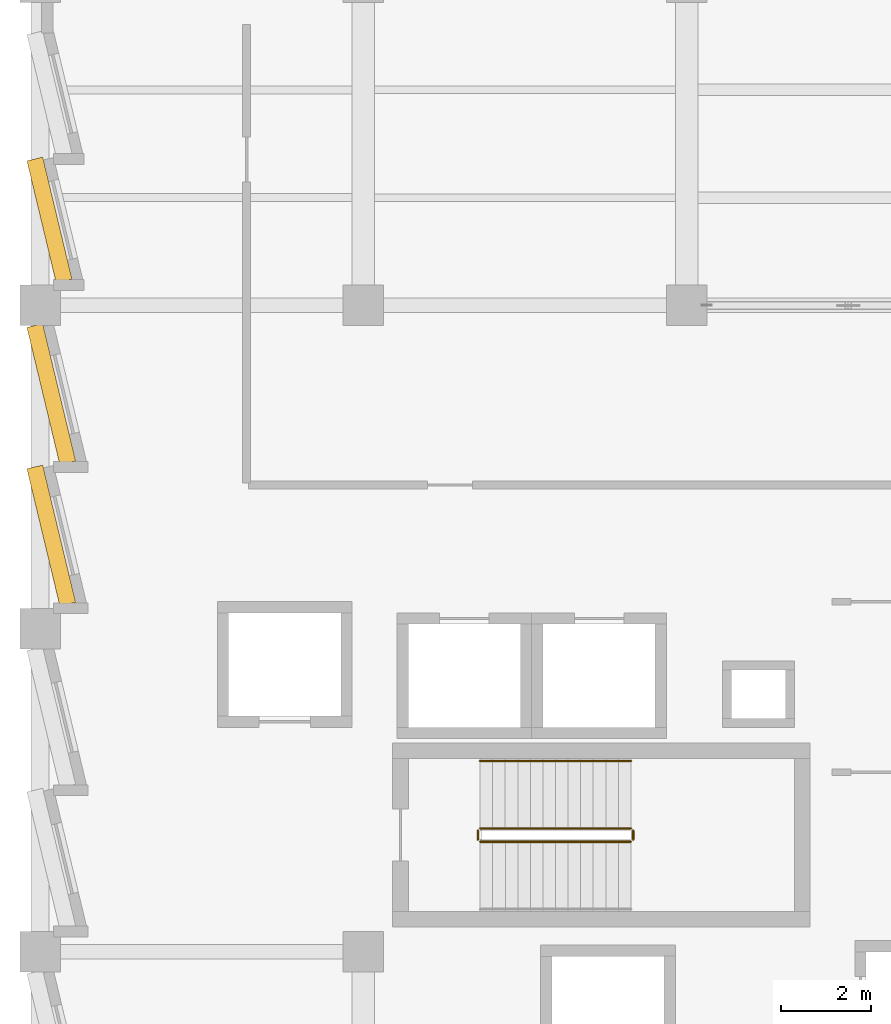
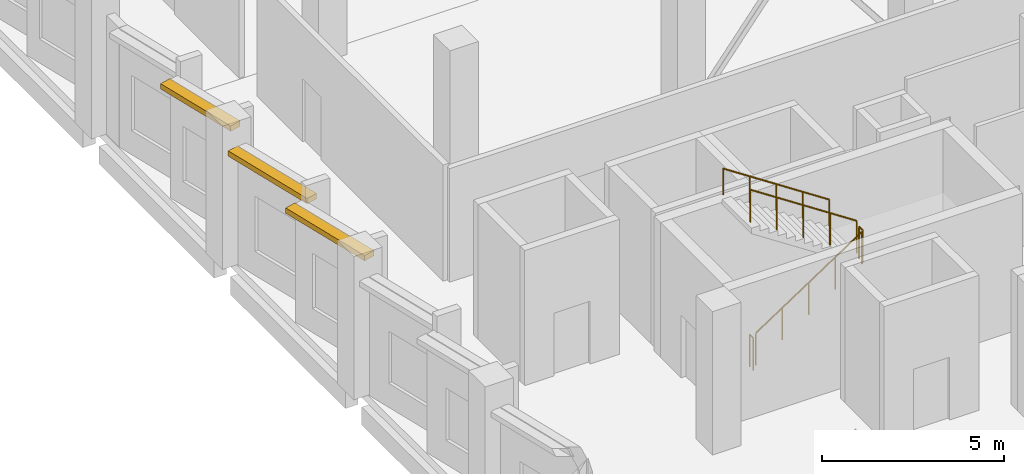
# One storey, part 109 of 127: 5 railings, 3 shading devices.
"""IFC4 building model written with IfcOpenShell, lengths in metres."""

import ifcopenshell
import ifcopenshell.guid

model = None  # the IFC model being written
_history = None  # IfcOwnerHistory: only IFC2X3 demands one
_inside = {}  # id of a spatial element -> (the spatial element, [elements in it])
_under = {}  # id of a project, library or spatial element -> (it, [spatial elements below it])
_declared = {}  # id of a project -> (the project, [libraries it declares])
_typed = {}  # id of a type object -> (the type object, [elements of that type])
_made_of = {}  # id of a material, layer set ... -> (it, [elements and type objects made of it])


def new_model(schema):
    """Start an empty IFC model of exactly this schema.

    Asked for "IFC4X3", IfcOpenShell would pick the latest addendum, in which some entities
    have other attributes; the version numbers below select the first issue.
    IFC2X3 requires an IfcOwnerHistory on every rooted entity: one is made here for all.
    """
    global model, _history
    if schema == "IFC4X3":
        model = ifcopenshell.file(schema_version=(4, 3, 0, 0))
    else:
        model = ifcopenshell.file(schema=schema)
    _inside.clear()
    _under.clear()
    _declared.clear()
    _typed.clear()
    _made_of.clear()
    _history = None
    if model.schema == "IFC2X3":
        org = make("IfcOrganization", Name="unknown")
        user = make(
            "IfcPersonAndOrganization",
            ThePerson=make("IfcPerson", FamilyName="unknown"),
            TheOrganization=org,
        )
        app = make(
            "IfcApplication",
            ApplicationDeveloper=org,
            Version="unknown",
            ApplicationFullName="unknown",
            ApplicationIdentifier="unknown",
        )
        _history = make(
            "IfcOwnerHistory",
            OwningUser=user,
            OwningApplication=app,
            ChangeAction="ADDED",
            CreationDate=0,
        )
    return model


def make(cls, **values):
    """One entity of the class cls with the attributes given. An attribute that is None is left unset."""
    return model.create_entity(
        cls, **{name: value for name, value in values.items() if value is not None}
    )


def rooted(cls, **values):
    """An entity with a GlobalId (a new one), such as an element, a storey or a relation."""
    return make(cls, GlobalId=ifcopenshell.guid.new(), OwnerHistory=_history, **values)


def si_unit(unit_type, name, prefix=None):
    """IfcSIUnit, for example si_unit("LENGTHUNIT", "METRE", prefix="MILLI")."""
    return make("IfcSIUnit", UnitType=unit_type, Prefix=prefix, Name=name)


def assignment(units):
    """IfcUnitAssignment: the units of a project."""
    return None if units is None else make("IfcUnitAssignment", Units=units)


def point(xyz):
    """IfcCartesianPoint."""
    return None if xyz is None else make("IfcCartesianPoint", Coordinates=xyz)


def direction(xyz):
    """IfcDirection."""
    return None if xyz is None else make("IfcDirection", DirectionRatios=xyz)


def frame(location, z_axis=None, x_axis=None):
    """IfcAxis2Placement3D, a coordinate frame: its origin and axes. An axis left out is left unset."""
    return make(
        "IfcAxis2Placement3D",
        Location=point(location),
        Axis=direction(z_axis),
        RefDirection=direction(x_axis),
    )


def frame_2d(location, x_axis=None):
    """IfcAxis2Placement2D, a coordinate frame in the plane: its origin and x axis."""
    return make(
        "IfcAxis2Placement2D", Location=point(location), RefDirection=direction(x_axis)
    )


def origin():
    """The frame at (0, 0, 0) with its axes left unset."""
    return frame((0.0, 0.0, 0.0))


def origin_2d():
    """The frame at (0, 0) in the plane with its x axis left unset."""
    return frame_2d((0.0, 0.0))


def place(relative_to, where):
    """IfcLocalPlacement: puts the frame where relative to a parent placement (None: the world)."""
    return make(
        "IfcLocalPlacement", PlacementRelTo=relative_to, RelativePlacement=where
    )


def context(
    kind, dimensions, precision=None, world=None, true_north=None, identifier=None
):
    """IfcGeometricRepresentationContext, for example the 3D "Model" context."""
    return make(
        "IfcGeometricRepresentationContext",
        ContextIdentifier=identifier,
        ContextType=kind,
        CoordinateSpaceDimension=dimensions,
        Precision=precision,
        WorldCoordinateSystem=world,
        TrueNorth=true_north,
    )


def subcontext(parent, identifier, kind, view, scale=None):
    """IfcGeometricRepresentationSubContext, for example "Body" below "Model"."""
    return make(
        "IfcGeometricRepresentationSubContext",
        ContextIdentifier=identifier,
        ContextType=kind,
        ParentContext=parent,
        TargetScale=scale,
        TargetView=view,
    )


def project(units=None, contexts=None):
    """IfcProject with its units and contexts."""
    return rooted(
        "IfcProject",
        Name="project",
        RepresentationContexts=contexts,
        UnitsInContext=assignment(units),
    )


def spatial(cls, under=None, at=None, **own):
    """A site, building, storey or space (cls), placed at a placement, below another one or the project."""
    s = rooted(cls, ObjectPlacement=at, **own)
    if under is not None:
        _under.setdefault(under.id(), (under, []))[1].append(s)
    return s


def profile(cls, at=None, kind="AREA", **sizes):
    """A parametric profile (cls). Its sizes go by their IFC names, for example OverallWidth=200.0."""
    return make(cls, ProfileType=kind, Position=at, **sizes)


def rectangle(**sizes):
    """IfcRectangleProfileDef."""
    return profile("IfcRectangleProfileDef", **sizes)


def circle(**sizes):
    """IfcCircleProfileDef."""
    return profile("IfcCircleProfileDef", **sizes)


def extrude(swept, where, along, depth):
    """IfcExtrudedAreaSolid: the profile swept, set in the frame where, extruded along a direction by depth."""
    return make(
        "IfcExtrudedAreaSolid",
        SweptArea=swept,
        Position=where,
        ExtrudedDirection=direction(along),
        Depth=depth,
    )


def shape(context_of_items, identifier, shape_type, items):
    """IfcShapeRepresentation: the items that make up one representation, for example the "Body"."""
    return make(
        "IfcShapeRepresentation",
        ContextOfItems=context_of_items,
        RepresentationIdentifier=identifier,
        RepresentationType=shape_type,
        Items=items,
    )


def material(Name=None, Category=None):
    """IfcMaterial."""
    return make("IfcMaterial", Name=Name, Category=Category)


def layer(
    of_material, thickness, ventilated=None, Name=None, Category=None, Priority=None
):
    """IfcMaterialLayer: one layer of a wall or slab, of a material (None: an air gap)."""
    return make(
        "IfcMaterialLayer",
        Material=of_material,
        LayerThickness=thickness,
        IsVentilated=ventilated,
        Name=Name,
        Category=Category,
        Priority=Priority,
    )


def layer_set(layers, Name=None):
    """IfcMaterialLayerSet."""
    return make("IfcMaterialLayerSet", MaterialLayers=layers, LayerSetName=Name)


def made_of(thing, what):
    """Note that an element or type object is made of a material, layer set ...; save() writes the relation."""
    if what is not None:
        _made_of.setdefault(what.id(), (what, []))[1].append(thing)
    return thing


def type_object(cls, material=None, **own):
    """A type object (cls), such as IfcWallType, which elements share."""
    return made_of(rooted(cls, **own), material)


def element(
    cls,
    number,
    at=None,
    inside=None,
    cuts=None,
    type_object=None,
    material=None,
    context=None,
    identifier="Body",
    shape_type=None,
    held_by="IfcProductDefinitionShape",
    body=None,
    shapes=None,
    **own,
):
    """One element of the class cls, such as IfcWall. Its Tag is "e" and its number.

    at: its placement. inside: the storey or other place that contains it. cuts: it is an
    opening in that element (IfcRelVoidsElement). A single representation is given by context,
    identifier, shape_type and body (its items); several are given by shapes. held_by: the class
    of the entity that holds the representations. save() writes the other relations.
    """
    e = rooted(cls, Tag="e%d" % number, ObjectPlacement=at, **own)
    if body is not None:
        shapes = [shape(context, identifier, shape_type, body)]
    if shapes is not None:
        e.Representation = make(held_by, Representations=shapes)
    if inside is not None:
        _inside.setdefault(inside.id(), (inside, []))[1].append(e)
    if cuts is not None:
        rooted(
            "IfcRelVoidsElement", RelatingBuildingElement=cuts, RelatedOpeningElement=e
        )
    if type_object is not None:
        _typed.setdefault(type_object.id(), (type_object, []))[1].append(e)
    return made_of(e, material)


def aggregate(whole, parts):
    """IfcRelAggregates: a whole, such as a stair, and the parts it consists of."""
    return rooted("IfcRelAggregates", RelatingObject=whole, RelatedObjects=parts)


def save(model, path):
    """Write the relations noted so far, then the file.

    IfcRelAggregates (storeys below a building ...), IfcRelContainedInSpatialStructure (elements
    in a storey), IfcRelDefinesByType, IfcRelAssociatesMaterial and IfcRelDeclares: one each for
    every whole, place, type object, material and project.
    """
    for whole, parts in _under.values():
        aggregate(whole, parts)
    for where, things in _inside.values():
        rooted(
            "IfcRelContainedInSpatialStructure",
            RelatedElements=things,
            RelatingStructure=where,
        )
    for kind, things in _typed.values():
        rooted("IfcRelDefinesByType", RelatedObjects=things, RelatingType=kind)
    for what, things in _made_of.values():
        rooted("IfcRelAssociatesMaterial", RelatedObjects=things, RelatingMaterial=what)
    for by, libraries in _declared.values():
        rooted("IfcRelDeclares", RelatingContext=by, RelatedDefinitions=libraries)
    model.write(path)


model = new_model("IFC4")

# Units and contexts
model_context = context("Model", 3, precision=1e-05, world=origin(), true_north=direction((0.0, 1.0)))
body_context = subcontext(model_context, "Body", "Model", "MODEL_VIEW")
ifc_project = project(units=[si_unit("LENGTHUNIT", "METRE"), si_unit("AREAUNIT", "SQUARE_METRE"), si_unit("VOLUMEUNIT", "CUBIC_METRE"), si_unit("PLANEANGLEUNIT", "RADIAN"), si_unit("MASSUNIT", "GRAM", prefix="KILO")], contexts=[model_context])

# Site, building, storey
site_placement = place(None, origin())
site = spatial("IfcSite", under=ifc_project, at=site_placement, CompositionType="ELEMENT")
building_placement = place(site_placement, origin())
building = spatial("IfcBuilding", under=site, at=building_placement, Name="Kalmorath City Hall", CompositionType="ELEMENT")
storey_placement = place(building_placement, frame((0.0, 0.0, 5.39990234375)))
storey = spatial("IfcBuildingStorey", under=building, at=storey_placement, Name="L01", CompositionType="ELEMENT", Elevation=5.39990234375)

# Shading devices
ifc_material_1 = material(Name="Precast concrete C40/50", Category="concrete")
ifc_layer = layer(ifc_material_1, 0.179931640625)
ifc_layer_set = layer_set([ifc_layer], Name="Precast concrete C40/50")
shading_device_type = type_object("IfcShadingDeviceType", Name="Precast sawtooth brow sunshade 350", PredefinedType="USERDEFINED", material=ifc_layer_set)
for number, where, z_axis, x_axis, name in (
    (1, (0.246826171875, 23.671630859375, 3.76611328125), (0.0, 0.0, 1.0), (-0.233445363856, 0.972369920398, 0.0), "L01 precast sawtooth hood #92"),
    (2, (0.246826171875, 26.82080078125, 3.76611328125), (0.0, 0.0, 1.0), (-0.233445363856, 0.972369920398, 0.0), "L01 precast sawtooth hood #93"),
):
    element("IfcShadingDevice", number, at=place(storey_placement, frame(where, z_axis=z_axis, x_axis=x_axis)), inside=storey, type_object=shading_device_type, Name=name, ObjectType="SUNSHADE", PredefinedType="USERDEFINED", context=body_context, shape_type="SweptSolid", body=[
        extrude(rectangle(XDim=3.1435546875, YDim=0.360107421875, at=origin_2d()), origin(), (0.0, 0.0, 1.0), 0.179931640625),
    ])
shading_device_placement = place(storey_placement, frame((0.2060546875, 30.70166015625, 3.76611328125), z_axis=(0.0, 0.0, 1.0), x_axis=(-0.233445363856, 0.972369920398, 0.0)))
element("IfcShadingDevice", 3, at=shading_device_placement, inside=storey, type_object=shading_device_type, Name="L01 precast sawtooth hood #94", ObjectType="SUNSHADE", PredefinedType="USERDEFINED", context=body_context, shape_type="SweptSolid", body=[
    extrude(rectangle(XDim=2.793701171875, YDim=0.360107421875, at=origin_2d()), origin(), (0.0, 0.0, 1.0), 0.179931640625),
])

# Railings
ifc_material_2 = material(Name="Painted steel guardrail", Category="steel")
railing_type_1 = type_object("IfcRailingType", Name="Protected stair guardrail 1100", PredefinedType="GUARDRAIL", material=ifc_material_2)
railing_1_placement = place(storey_placement, frame((9.800048828125, 16.85009765625, 0.184814453125)))
element("IfcRailing", 4, at=railing_1_placement, inside=storey, type_object=railing_type_1, Name="L01 ST-1 stair guard 1", PredefinedType="GUARDRAIL", context=body_context, shape_type="SweptSolid", body=[
    extrude(circle(Radius=0.02392578125, at=origin_2d()), frame((0.0, 0.0, 1.076171875), z_axis=(0.834858096282, 0.0, 0.550465220583), x_axis=(0.0, 1.0, 0.0)), (0.0, 0.0, 1.0), 4.0244140625),
    extrude(circle(Radius=0.02099609375, at=origin_2d()), origin(), (0.0, 0.0, 1.0), 1.052001953125),
    extrude(circle(Radius=0.02099609375, at=origin_2d()), frame((0.83984375, 0.0, 0.5537109375)), (0.0, 0.0, 1.0), 1.052001953125),
    extrude(circle(Radius=0.02099609375, at=origin_2d()), frame((1.679931640625, 0.0, 1.107666015625)), (0.0, 0.0, 1.0), 1.052001953125),
    extrude(circle(Radius=0.02099609375, at=origin_2d()), frame((2.52001953125, 0.0, 1.66162109375)), (0.0, 0.0, 1.0), 1.052001953125),
    extrude(circle(Radius=0.02099609375, at=origin_2d()), frame((3.35986328125, 0.0, 2.21533203125)), (0.0, 0.0, 1.0), 1.052001953125),
])
railing_2_placement = place(storey_placement, frame((13.2099609375, 16.89990234375, 2.400146484375)))
element("IfcRailing", 5, at=railing_2_placement, inside=storey, type_object=railing_type_1, Name="L01 ST-1 stair guard 2", PredefinedType="GUARDRAIL", context=body_context, shape_type="SweptSolid", body=[
    extrude(circle(Radius=0.02392578125, at=origin_2d()), frame((0.0, 0.0, 1.076171875), z_axis=(0.0, 1.0, 0.0), x_axis=(-1.0, 0.0, 0.0)), (0.0, 0.0, 1.0), 0.2001953125),
    extrude(circle(Radius=0.02099609375, at=origin_2d()), origin(), (0.0, 0.0, 1.0), 1.052001953125),
    extrude(circle(Radius=0.02099609375, at=origin_2d()), frame((0.0, 0.2001953125, 0.0)), (0.0, 0.0, 1.0), 1.052001953125),
])
railing_3_placement = place(storey_placement, frame((13.159912109375, 17.14990234375, 2.584716796875)))
element("IfcRailing", 6, at=railing_3_placement, inside=storey, type_object=railing_type_1, Name="L01 ST-1 stair guard 3", PredefinedType="GUARDRAIL", context=body_context, shape_type="SweptSolid", body=[
    extrude(circle(Radius=0.02392578125, at=origin_2d()), frame((0.0, 0.0, 1.076171875), z_axis=(-0.834858096282, 0.0, 0.550465220583), x_axis=(0.0, -1.0, 0.0)), (0.0, 0.0, 1.0), 4.0244140625),
    extrude(circle(Radius=0.02099609375, at=origin_2d()), origin(), (0.0, 0.0, 1.0), 1.052001953125),
    extrude(circle(Radius=0.02099609375, at=origin_2d()), frame((-0.83984375, 0.0, 0.5537109375)), (0.0, 0.0, 1.0), 1.052001953125),
    extrude(circle(Radius=0.02099609375, at=origin_2d()), frame((-1.679931640625, 0.0, 1.107666015625)), (0.0, 0.0, 1.0), 1.052001953125),
    extrude(circle(Radius=0.02099609375, at=origin_2d()), frame((-2.52001953125, 0.0, 1.66162109375)), (0.0, 0.0, 1.0), 1.052001953125),
    extrude(circle(Radius=0.02099609375, at=origin_2d()), frame((-3.35986328125, 0.0, 2.21533203125)), (0.0, 0.0, 1.0), 1.052001953125),
])
railing_4_placement = place(storey_placement, frame((9.75, 16.89990234375, 0.0)))
element("IfcRailing", 7, at=railing_4_placement, inside=storey, type_object=railing_type_1, Name="L01 ST-1 stair guard 4", PredefinedType="GUARDRAIL", context=body_context, shape_type="SweptSolid", body=[
    extrude(circle(Radius=0.02392578125, at=origin_2d()), frame((0.0, 0.0, 1.076171875), z_axis=(0.0, 1.0, 0.0), x_axis=(-1.0, 0.0, 0.0)), (0.0, 0.0, 1.0), 0.2001953125),
    extrude(circle(Radius=0.02099609375, at=origin_2d()), origin(), (0.0, 0.0, 1.0), 1.052001953125),
    extrude(circle(Radius=0.02099609375, at=origin_2d()), frame((0.0, 0.2001953125, 0.0)), (0.0, 0.0, 1.0), 1.052001953125),
])
ifc_material_3 = material(Name="Brushed stainless steel handrail", Category="steel")
railing_type_2 = type_object("IfcRailingType", Name="Stair pitch handrail 900", PredefinedType="HANDRAIL", material=ifc_material_3)
railing_5_placement = place(storey_placement, frame((13.159912109375, 18.64990234375, 2.584716796875)))
element("IfcRailing", 8, at=railing_5_placement, inside=storey, type_object=railing_type_2, Name="L01 ST-1 stair handrail 2", PredefinedType="HANDRAIL", context=body_context, shape_type="SweptSolid", body=[
    extrude(circle(Radius=0.02392578125, at=origin_2d()), frame((0.0, 0.0, 0.8759765625), z_axis=(-0.834858096282, 0.0, 0.550465220583), x_axis=(0.0, -1.0, 0.0)), (0.0, 0.0, 1.0), 4.0244140625),
    extrude(circle(Radius=0.02099609375, at=origin_2d()), origin(), (0.0, 0.0, 1.0), 0.851806640625),
    extrude(circle(Radius=0.02099609375, at=origin_2d()), frame((-0.83984375, 0.0, 0.5537109375)), (0.0, 0.0, 1.0), 0.851806640625),
    extrude(circle(Radius=0.02099609375, at=origin_2d()), frame((-1.679931640625, 0.0, 1.107666015625)), (0.0, 0.0, 1.0), 0.851806640625),
    extrude(circle(Radius=0.02099609375, at=origin_2d()), frame((-2.52001953125, 0.0, 1.66162109375)), (0.0, 0.0, 1.0), 0.851806640625),
    extrude(circle(Radius=0.02099609375, at=origin_2d()), frame((-3.35986328125, 0.0, 2.21533203125)), (0.0, 0.0, 1.0), 0.851806640625),
])

save(model, "model.ifc")
